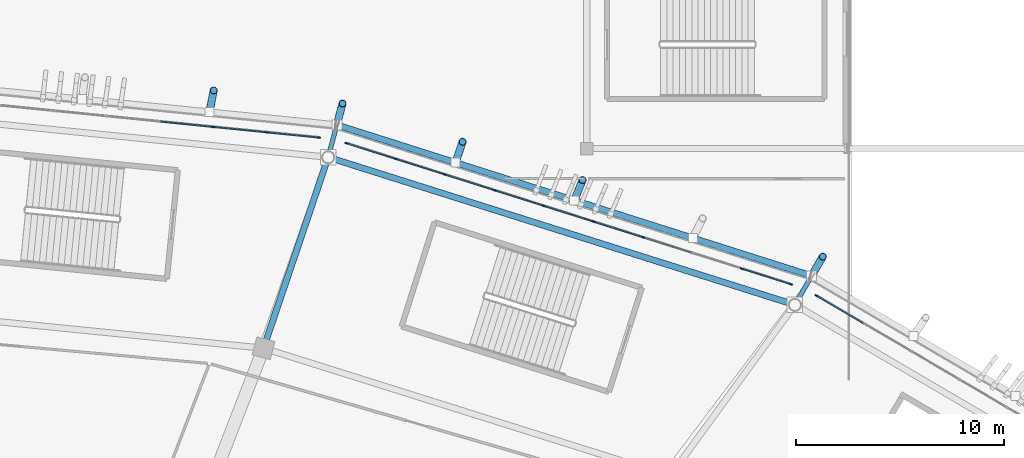
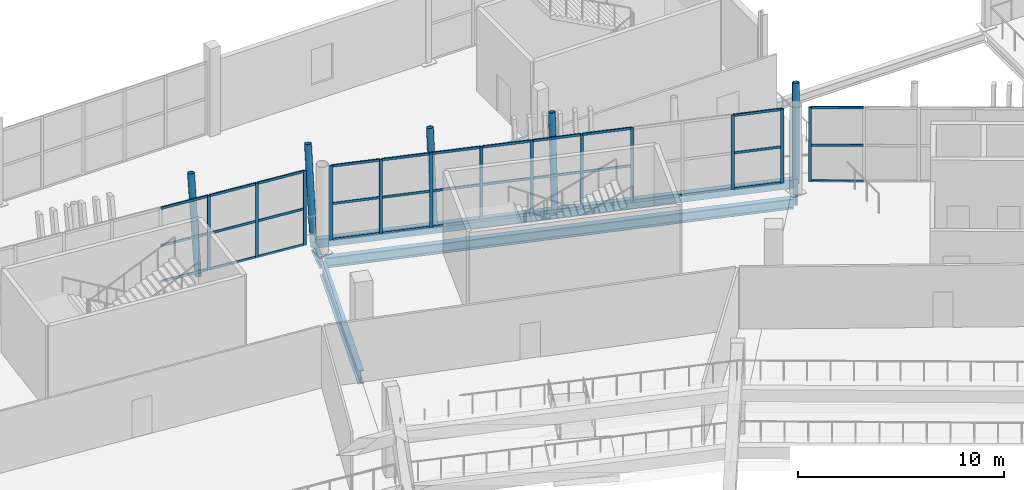
# One storey, part 82 of 178: 52 members, 5 beams, 3 elements without a shape of their own.
"""IFC4 building model written with IfcOpenShell, lengths in metres."""

from ifc_helpers import new_model, si_unit, direction, frame, origin, origin_2d, place, context, subcontext, project, spatial, rectangle, hollow_rectangle, hollow_circle, i_section, extrude, material, material_profile, profile_set, type_object, element, aggregate, save


model = new_model("IFC4")

# Units and contexts
model_context = context("Model", 3, precision=1e-05, world=origin(), true_north=direction((0.0, 1.0)))
body_context = subcontext(model_context, "Body", "Model", "MODEL_VIEW")
ifc_project = project(units=[si_unit("LENGTHUNIT", "METRE"), si_unit("AREAUNIT", "SQUARE_METRE"), si_unit("VOLUMEUNIT", "CUBIC_METRE"), si_unit("PLANEANGLEUNIT", "RADIAN"), si_unit("MASSUNIT", "GRAM", prefix="KILO")], contexts=[model_context])

# Site, building, storey
site_placement = place(None, origin())
site = spatial("IfcSite", under=ifc_project, at=site_placement, CompositionType="ELEMENT")
building_placement = place(site_placement, origin())
building = spatial("IfcBuilding", under=site, at=building_placement, Name="Zlatoyarsky Gate Stadium", CompositionType="ELEMENT")
storey_placement = place(building_placement, frame((0.0, 0.0, 5.39990234375)))
storey = spatial("IfcBuildingStorey", under=building, at=storey_placement, Name="L01", CompositionType="ELEMENT", Elevation=5.39990234375)

# Curtain wall, member
ifc_material_1 = material(Name="Thermally broken anodised aluminium curtain wall", Category="aluminium")
curtain_wall_type = type_object("IfcCurtainWallType", Name="UNITISED HOSPITALITY GLAZING L01", PredefinedType="USERDEFINED", material=ifc_material_1)
curtain_wall_1_placement = place(storey_placement, origin())
curtain_wall_1 = element("IfcCurtainWall", 1, at=curtain_wall_1_placement, inside=storey, type_object=curtain_wall_type, Name="Curtain wall CW-L01-03", ObjectType="UNITISED GLAZING", PredefinedType="USERDEFINED")
ifc_material_2 = material(Name="Anodised aluminium 6063-T6", Category="aluminium")
ifc_material_profile_1 = material_profile(ifc_material_2, rectangle(XDim=0.06494140625, YDim=0.159912109375, at=origin_2d()), Name="ALU 65X160")
ifc_profile_set_1 = profile_set([ifc_material_profile_1], Name="Anodised aluminium 6063-T6")
member_type_1 = type_object("IfcMemberType", Name="ALUMINIUM MULLION 65X160", PredefinedType="MULLION", material=ifc_profile_set_1)
member_1_placement = place(storey_placement, frame((158.542724609375, 141.928955078125, 0.0), z_axis=(0.0, 0.0, 1.0), x_axis=(-0.506590401335, -0.862186850558, 0.0)))
member_1 = element("IfcMember", 2, at=member_1_placement, type_object=member_type_1, Name="CW-UG1 mullion 9", PredefinedType="MULLION", context=body_context, shape_type="SweptSolid", body=[
    extrude(rectangle(XDim=0.06494140625, YDim=0.159912109375, at=origin_2d()), origin(), (0.0, 0.0, 1.0), 4.400146484375),
])

# Curtain wall, members
curtain_wall_2_placement = place(storey_placement, origin())
curtain_wall_2 = element("IfcCurtainWall", 3, at=curtain_wall_2_placement, inside=storey, type_object=curtain_wall_type, Name="Curtain wall CW-L01-04", ObjectType="UNITISED GLAZING", PredefinedType="USERDEFINED")
member_2_placement = place(storey_placement, frame((157.3037109375, 142.48095703125, 0.0), z_axis=(0.0, 0.0, 1.0), x_axis=(-0.302333944964, -0.953202069722, 0.0)))
member_2 = element("IfcMember", 4, at=member_2_placement, type_object=member_type_1, Name="CW-UG1 mullion 1", PredefinedType="MULLION", context=body_context, shape_type="SweptSolid", body=[
    extrude(rectangle(XDim=0.06494140625, YDim=0.159912109375, at=origin_2d()), origin(), (0.0, 0.0, 1.0), 4.400146484375),
])
member_3_placement = place(storey_placement, frame((154.955810546875, 143.2255859375, 0.0), z_axis=(0.0, 0.0, 1.0), x_axis=(-0.302333944964, -0.953202069722, 0.0)))
member_3 = element("IfcMember", 5, at=member_3_placement, type_object=member_type_1, Name="CW-UG1 mullion 2", PredefinedType="MULLION", context=body_context, shape_type="SweptSolid", body=[
    extrude(rectangle(XDim=0.06494140625, YDim=0.159912109375, at=origin_2d()), origin(), (0.0, 0.0, 1.0), 4.400146484375),
])
member_4_placement = place(storey_placement, frame((150.197998046875, 144.734619140625, 0.0), z_axis=(0.0, 0.0, 1.0), x_axis=(-0.302333944964, -0.953202069722, 0.0)))
member_4 = element("IfcMember", 6, at=member_4_placement, type_object=member_type_1, Name="CW-UG1 mullion 4", PredefinedType="MULLION", context=body_context, shape_type="SweptSolid", body=[
    extrude(rectangle(XDim=0.06494140625, YDim=0.159912109375, at=origin_2d()), origin(), (0.0, 0.0, 1.0), 4.400146484375),
])
member_5_placement = place(storey_placement, frame((147.8193359375, 145.4892578125, 0.0), z_axis=(0.0, 0.0, 1.0), x_axis=(-0.302333944964, -0.953202069722, 0.0)))
member_5 = element("IfcMember", 7, at=member_5_placement, type_object=member_type_1, Name="CW-UG1 mullion 5", PredefinedType="MULLION", context=body_context, shape_type="SweptSolid", body=[
    extrude(rectangle(XDim=0.06494140625, YDim=0.159912109375, at=origin_2d()), origin(), (0.0, 0.0, 1.0), 4.400146484375),
])
member_6_placement = place(storey_placement, frame((145.4404296875, 146.24365234375, 0.0), z_axis=(0.0, 0.0, 1.0), x_axis=(-0.302333944964, -0.953202069722, 0.0)))
member_6 = element("IfcMember", 8, at=member_6_placement, type_object=member_type_1, Name="CW-UG1 mullion 6", PredefinedType="MULLION", context=body_context, shape_type="SweptSolid", body=[
    extrude(rectangle(XDim=0.06494140625, YDim=0.159912109375, at=origin_2d()), origin(), (0.0, 0.0, 1.0), 4.400146484375),
])
member_7_placement = place(storey_placement, frame((143.0615234375, 146.998291015625, 0.0), z_axis=(0.0, 0.0, 1.0), x_axis=(-0.302333944964, -0.953202069722, 0.0)))
member_7 = element("IfcMember", 9, at=member_7_placement, type_object=member_type_1, Name="CW-UG1 mullion 7", PredefinedType="MULLION", context=body_context, shape_type="SweptSolid", body=[
    extrude(rectangle(XDim=0.06494140625, YDim=0.159912109375, at=origin_2d()), origin(), (0.0, 0.0, 1.0), 4.400146484375),
])
member_8_placement = place(storey_placement, frame((140.6826171875, 147.752685546875, 0.0), z_axis=(0.0, 0.0, 1.0), x_axis=(-0.302333944964, -0.953202069722, 0.0)))
member_8 = element("IfcMember", 10, at=member_8_placement, type_object=member_type_1, Name="CW-UG1 mullion 8", PredefinedType="MULLION", context=body_context, shape_type="SweptSolid", body=[
    extrude(rectangle(XDim=0.06494140625, YDim=0.159912109375, at=origin_2d()), origin(), (0.0, 0.0, 1.0), 4.400146484375),
])
member_9_placement = place(storey_placement, frame((138.3037109375, 148.50732421875, 0.0), z_axis=(0.0, 0.0, 1.0), x_axis=(-0.302333944964, -0.953202069722, 0.0)))
member_9 = element("IfcMember", 11, at=member_9_placement, type_object=member_type_1, Name="CW-UG1 mullion 9", PredefinedType="MULLION", context=body_context, shape_type="SweptSolid", body=[
    extrude(rectangle(XDim=0.06494140625, YDim=0.159912109375, at=origin_2d()), origin(), (0.0, 0.0, 1.0), 4.400146484375),
])
member_10_placement = place(storey_placement, frame((135.955810546875, 149.251953125, 0.0), z_axis=(0.0, 0.0, 1.0), x_axis=(-0.302333944964, -0.953202069722, 0.0)))
member_10 = element("IfcMember", 12, at=member_10_placement, type_object=member_type_1, Name="CW-UG1 mullion 10", PredefinedType="MULLION", context=body_context, shape_type="SweptSolid", body=[
    extrude(rectangle(XDim=0.06494140625, YDim=0.159912109375, at=origin_2d()), origin(), (0.0, 0.0, 1.0), 4.400146484375),
])

curtain_wall_3_placement = place(storey_placement, origin())
curtain_wall_3 = element("IfcCurtainWall", 13, at=curtain_wall_3_placement, inside=storey, type_object=curtain_wall_type, Name="Curtain wall CW-L01-05", ObjectType="UNITISED GLAZING", PredefinedType="USERDEFINED")
member_11_placement = place(storey_placement, frame((134.626220703125, 149.52685546875, 0.0), z_axis=(0.0, 0.0, 1.0), x_axis=(-0.100300354307, -0.99495720457, 0.0)))
member_11 = element("IfcMember", 14, at=member_11_placement, type_object=member_type_1, Name="CW-UG1 mullion 1", PredefinedType="MULLION", context=body_context, shape_type="SweptSolid", body=[
    extrude(rectangle(XDim=0.06494140625, YDim=0.159912109375, at=origin_2d()), origin(), (0.0, 0.0, 1.0), 4.400146484375),
])
member_12_placement = place(storey_placement, frame((132.101806640625, 149.78125, 0.0), z_axis=(0.0, 0.0, 1.0), x_axis=(-0.100300354307, -0.99495720457, 0.0)))
member_12 = element("IfcMember", 15, at=member_12_placement, type_object=member_type_1, Name="CW-UG1 mullion 2", PredefinedType="MULLION", context=body_context, shape_type="SweptSolid", body=[
    extrude(rectangle(XDim=0.06494140625, YDim=0.159912109375, at=origin_2d()), origin(), (0.0, 0.0, 1.0), 4.400146484375),
])
member_13_placement = place(storey_placement, frame((129.544921875, 150.0390625, 0.0), z_axis=(0.0, 0.0, 1.0), x_axis=(-0.100300354307, -0.99495720457, 0.0)))
member_13 = element("IfcMember", 16, at=member_13_placement, type_object=member_type_1, Name="CW-UG1 mullion 3", PredefinedType="MULLION", context=body_context, shape_type="SweptSolid", body=[
    extrude(rectangle(XDim=0.06494140625, YDim=0.159912109375, at=origin_2d()), origin(), (0.0, 0.0, 1.0), 4.400146484375),
])

# Member
ifc_material_profile_2 = material_profile(ifc_material_2, rectangle(XDim=0.06494140625, YDim=0.139892578125, at=origin_2d()), Name="ALU 65X140")
ifc_profile_set_2 = profile_set([ifc_material_profile_2], Name="Anodised aluminium 6063-T6")
member_type_2 = type_object("IfcMemberType", Name="ALUMINIUM TRANSOM 65X140", PredefinedType="USERDEFINED", material=ifc_profile_set_2)
member_14_placement = place(storey_placement, frame((160.777587890625, 140.61572265625, 0.03271484375), z_axis=(-0.86218667053, 0.506590707732, 0.0), x_axis=(-0.506590707732, -0.86218667053, 0.0)))
member_14 = element("IfcMember", 17, at=member_14_placement, type_object=member_type_2, Name="CW-UG1 transom 8.1", ObjectType="TRANSOM", PredefinedType="USERDEFINED", context=body_context, shape_type="SweptSolid", body=[
    extrude(rectangle(XDim=0.06494140625, YDim=0.139892578125, at=origin_2d()), origin(), (0.0, 0.0, 1.0), 2.5595703125),
])

member_15_placement = place(storey_placement, frame((160.777587890625, 140.61572265625, 2.150146484375), z_axis=(-0.86218667053, 0.506590707732, 0.0), x_axis=(-0.506590707732, -0.86218667053, 0.0)))
member_15 = element("IfcMember", 18, at=member_15_placement, type_object=member_type_2, Name="CW-UG1 transom 8.2", ObjectType="TRANSOM", PredefinedType="USERDEFINED", context=body_context, shape_type="SweptSolid", body=[
    extrude(rectangle(XDim=0.06494140625, YDim=0.139892578125, at=origin_2d()), origin(), (0.0, 0.0, 1.0), 2.5595703125),
])

member_16_placement = place(storey_placement, frame((160.777587890625, 140.61572265625, 4.36767578125), z_axis=(-0.86218667053, 0.506590707732, 0.0), x_axis=(-0.506590707732, -0.86218667053, 0.0)))
member_16 = element("IfcMember", 19, at=member_16_placement, type_object=member_type_2, Name="CW-UG1 transom 8.3", ObjectType="TRANSOM", PredefinedType="USERDEFINED", context=body_context, shape_type="SweptSolid", body=[
    extrude(rectangle(XDim=0.06494140625, YDim=0.139892578125, at=origin_2d()), origin(), (0.0, 0.0, 1.0), 2.5595703125),
])

aggregate(curtain_wall_1, [member_1, member_14, member_15, member_16])

member_17_placement = place(storey_placement, frame((157.272705078125, 142.49072265625, 0.03271484375), z_axis=(-0.953194146276, 0.302358924964, 0.0), x_axis=(-0.302358924964, -0.953194146276, 0.0)))
member_17 = element("IfcMember", 20, at=member_17_placement, type_object=member_type_2, Name="CW-UG1 transom 1.1", ObjectType="TRANSOM", PredefinedType="USERDEFINED", context=body_context, shape_type="SweptSolid", body=[
    extrude(rectangle(XDim=0.06494140625, YDim=0.139892578125, at=origin_2d()), origin(), (0.0, 0.0, 1.0), 2.398193359375),
])

member_18_placement = place(storey_placement, frame((157.272705078125, 142.49072265625, 2.150146484375), z_axis=(-0.953194146276, 0.302358924964, 0.0), x_axis=(-0.302358924964, -0.953194146276, 0.0)))
member_18 = element("IfcMember", 21, at=member_18_placement, type_object=member_type_2, Name="CW-UG1 transom 1.2", ObjectType="TRANSOM", PredefinedType="USERDEFINED", context=body_context, shape_type="SweptSolid", body=[
    extrude(rectangle(XDim=0.06494140625, YDim=0.139892578125, at=origin_2d()), origin(), (0.0, 0.0, 1.0), 2.398193359375),
])

member_19_placement = place(storey_placement, frame((157.272705078125, 142.49072265625, 4.36767578125), z_axis=(-0.953194146276, 0.302358924964, 0.0), x_axis=(-0.302358924964, -0.953194146276, 0.0)))
member_19 = element("IfcMember", 22, at=member_19_placement, type_object=member_type_2, Name="CW-UG1 transom 1.3", ObjectType="TRANSOM", PredefinedType="USERDEFINED", context=body_context, shape_type="SweptSolid", body=[
    extrude(rectangle(XDim=0.06494140625, YDim=0.139892578125, at=origin_2d()), origin(), (0.0, 0.0, 1.0), 2.398193359375),
])

member_20_placement = place(storey_placement, frame((152.5458984375, 143.989990234375, 0.03271484375), z_axis=(-0.953202400963, 0.302332900622, 0.0), x_axis=(-0.302332900622, -0.953202400963, 0.0)))
member_20 = element("IfcMember", 23, at=member_20_placement, type_object=member_type_2, Name="CW-UG1 transom 3.1", ObjectType="TRANSOM", PredefinedType="USERDEFINED", context=body_context, shape_type="SweptSolid", body=[
    extrude(rectangle(XDim=0.06494140625, YDim=0.139892578125, at=origin_2d()), origin(), (0.0, 0.0, 1.0), 2.4306640625),
])

member_21_placement = place(storey_placement, frame((150.167236328125, 144.744384765625, 0.03271484375), z_axis=(-0.953211580639, 0.302303957194, 0.0), x_axis=(-0.302303957194, -0.953211580639, 0.0)))
member_21 = element("IfcMember", 24, at=member_21_placement, type_object=member_type_2, Name="CW-UG1 transom 4.1", ObjectType="TRANSOM", PredefinedType="USERDEFINED", context=body_context, shape_type="SweptSolid", body=[
    extrude(rectangle(XDim=0.06494140625, YDim=0.139892578125, at=origin_2d()), origin(), (0.0, 0.0, 1.0), 2.430908203125),
])

member_22_placement = place(storey_placement, frame((150.167236328125, 144.744384765625, 2.150146484375), z_axis=(-0.953211580639, 0.302303957194, 0.0), x_axis=(-0.302303957194, -0.953211580639, 0.0)))
member_22 = element("IfcMember", 25, at=member_22_placement, type_object=member_type_2, Name="CW-UG1 transom 4.2", ObjectType="TRANSOM", PredefinedType="USERDEFINED", context=body_context, shape_type="SweptSolid", body=[
    extrude(rectangle(XDim=0.06494140625, YDim=0.139892578125, at=origin_2d()), origin(), (0.0, 0.0, 1.0), 2.430908203125),
])

member_23_placement = place(storey_placement, frame((150.167236328125, 144.744384765625, 4.36767578125), z_axis=(-0.953211580639, 0.302303957194, 0.0), x_axis=(-0.302303957194, -0.953211580639, 0.0)))
member_23 = element("IfcMember", 26, at=member_23_placement, type_object=member_type_2, Name="CW-UG1 transom 4.3", ObjectType="TRANSOM", PredefinedType="USERDEFINED", context=body_context, shape_type="SweptSolid", body=[
    extrude(rectangle(XDim=0.06494140625, YDim=0.139892578125, at=origin_2d()), origin(), (0.0, 0.0, 1.0), 2.430908203125),
])

member_24_placement = place(storey_placement, frame((147.788330078125, 145.4990234375, 0.03271484375), z_axis=(-0.953202400963, 0.302332900622, 0.0), x_axis=(-0.302332900622, -0.953202400963, 0.0)))
member_24 = element("IfcMember", 27, at=member_24_placement, type_object=member_type_2, Name="CW-UG1 transom 5.1", ObjectType="TRANSOM", PredefinedType="USERDEFINED", context=body_context, shape_type="SweptSolid", body=[
    extrude(rectangle(XDim=0.06494140625, YDim=0.139892578125, at=origin_2d()), origin(), (0.0, 0.0, 1.0), 2.4306640625),
])

member_25_placement = place(storey_placement, frame((147.788330078125, 145.4990234375, 2.150146484375), z_axis=(-0.953202400963, 0.302332900622, 0.0), x_axis=(-0.302332900622, -0.953202400963, 0.0)))
member_25 = element("IfcMember", 28, at=member_25_placement, type_object=member_type_2, Name="CW-UG1 transom 5.2", ObjectType="TRANSOM", PredefinedType="USERDEFINED", context=body_context, shape_type="SweptSolid", body=[
    extrude(rectangle(XDim=0.06494140625, YDim=0.139892578125, at=origin_2d()), origin(), (0.0, 0.0, 1.0), 2.4306640625),
])

member_26_placement = place(storey_placement, frame((147.788330078125, 145.4990234375, 4.36767578125), z_axis=(-0.953202400963, 0.302332900622, 0.0), x_axis=(-0.302332900622, -0.953202400963, 0.0)))
member_26 = element("IfcMember", 29, at=member_26_placement, type_object=member_type_2, Name="CW-UG1 transom 5.3", ObjectType="TRANSOM", PredefinedType="USERDEFINED", context=body_context, shape_type="SweptSolid", body=[
    extrude(rectangle(XDim=0.06494140625, YDim=0.139892578125, at=origin_2d()), origin(), (0.0, 0.0, 1.0), 2.4306640625),
])

member_27_placement = place(storey_placement, frame((145.409423828125, 146.25341796875, 0.03271484375), z_axis=(-0.953173451414, 0.302424158294, 0.0), x_axis=(-0.302424158294, -0.953173451414, 0.0)))
member_27 = element("IfcMember", 30, at=member_27_placement, type_object=member_type_2, Name="CW-UG1 transom 6.1", ObjectType="TRANSOM", PredefinedType="USERDEFINED", context=body_context, shape_type="SweptSolid", body=[
    extrude(rectangle(XDim=0.06494140625, YDim=0.139892578125, at=origin_2d()), origin(), (0.0, 0.0, 1.0), 2.4306640625),
])

member_28_placement = place(storey_placement, frame((145.409423828125, 146.25341796875, 2.150146484375), z_axis=(-0.953173451414, 0.302424158294, 0.0), x_axis=(-0.302424158294, -0.953173451414, 0.0)))
member_28 = element("IfcMember", 31, at=member_28_placement, type_object=member_type_2, Name="CW-UG1 transom 6.2", ObjectType="TRANSOM", PredefinedType="USERDEFINED", context=body_context, shape_type="SweptSolid", body=[
    extrude(rectangle(XDim=0.06494140625, YDim=0.139892578125, at=origin_2d()), origin(), (0.0, 0.0, 1.0), 2.4306640625),
])

member_29_placement = place(storey_placement, frame((145.409423828125, 146.25341796875, 4.36767578125), z_axis=(-0.953173451414, 0.302424158294, 0.0), x_axis=(-0.302424158294, -0.953173451414, 0.0)))
member_29 = element("IfcMember", 32, at=member_29_placement, type_object=member_type_2, Name="CW-UG1 transom 6.3", ObjectType="TRANSOM", PredefinedType="USERDEFINED", context=body_context, shape_type="SweptSolid", body=[
    extrude(rectangle(XDim=0.06494140625, YDim=0.139892578125, at=origin_2d()), origin(), (0.0, 0.0, 1.0), 2.4306640625),
])

member_30_placement = place(storey_placement, frame((143.030517578125, 147.008056640625, 0.03271484375), z_axis=(-0.953202400963, 0.302332900622, 0.0), x_axis=(-0.302332900622, -0.953202400963, 0.0)))
member_30 = element("IfcMember", 33, at=member_30_placement, type_object=member_type_2, Name="CW-UG1 transom 7.1", ObjectType="TRANSOM", PredefinedType="USERDEFINED", context=body_context, shape_type="SweptSolid", body=[
    extrude(rectangle(XDim=0.06494140625, YDim=0.139892578125, at=origin_2d()), origin(), (0.0, 0.0, 1.0), 2.4306640625),
])

member_31_placement = place(storey_placement, frame((143.030517578125, 147.008056640625, 2.150146484375), z_axis=(-0.953202400963, 0.302332900622, 0.0), x_axis=(-0.302332900622, -0.953202400963, 0.0)))
member_31 = element("IfcMember", 34, at=member_31_placement, type_object=member_type_2, Name="CW-UG1 transom 7.2", ObjectType="TRANSOM", PredefinedType="USERDEFINED", context=body_context, shape_type="SweptSolid", body=[
    extrude(rectangle(XDim=0.06494140625, YDim=0.139892578125, at=origin_2d()), origin(), (0.0, 0.0, 1.0), 2.4306640625),
])

member_32_placement = place(storey_placement, frame((143.030517578125, 147.008056640625, 4.36767578125), z_axis=(-0.953202400963, 0.302332900622, 0.0), x_axis=(-0.302332900622, -0.953202400963, 0.0)))
member_32 = element("IfcMember", 35, at=member_32_placement, type_object=member_type_2, Name="CW-UG1 transom 7.3", ObjectType="TRANSOM", PredefinedType="USERDEFINED", context=body_context, shape_type="SweptSolid", body=[
    extrude(rectangle(XDim=0.06494140625, YDim=0.139892578125, at=origin_2d()), origin(), (0.0, 0.0, 1.0), 2.4306640625),
])

member_33_placement = place(storey_placement, frame((140.651611328125, 147.7626953125, 0.03271484375), z_axis=(-0.953202400963, 0.302332900622, 0.0), x_axis=(-0.302332900622, -0.953202400963, 0.0)))
member_33 = element("IfcMember", 36, at=member_33_placement, type_object=member_type_2, Name="CW-UG1 transom 8.1", ObjectType="TRANSOM", PredefinedType="USERDEFINED", context=body_context, shape_type="SweptSolid", body=[
    extrude(rectangle(XDim=0.06494140625, YDim=0.139892578125, at=origin_2d()), origin(), (0.0, 0.0, 1.0), 2.4306640625),
])

member_34_placement = place(storey_placement, frame((140.651611328125, 147.7626953125, 2.150146484375), z_axis=(-0.953202400963, 0.302332900622, 0.0), x_axis=(-0.302332900622, -0.953202400963, 0.0)))
member_34 = element("IfcMember", 37, at=member_34_placement, type_object=member_type_2, Name="CW-UG1 transom 8.2", ObjectType="TRANSOM", PredefinedType="USERDEFINED", context=body_context, shape_type="SweptSolid", body=[
    extrude(rectangle(XDim=0.06494140625, YDim=0.139892578125, at=origin_2d()), origin(), (0.0, 0.0, 1.0), 2.4306640625),
])

member_35_placement = place(storey_placement, frame((140.651611328125, 147.7626953125, 4.36767578125), z_axis=(-0.953202400963, 0.302332900622, 0.0), x_axis=(-0.302332900622, -0.953202400963, 0.0)))
member_35 = element("IfcMember", 38, at=member_35_placement, type_object=member_type_2, Name="CW-UG1 transom 8.3", ObjectType="TRANSOM", PredefinedType="USERDEFINED", context=body_context, shape_type="SweptSolid", body=[
    extrude(rectangle(XDim=0.06494140625, YDim=0.139892578125, at=origin_2d()), origin(), (0.0, 0.0, 1.0), 2.4306640625),
])

member_36_placement = place(storey_placement, frame((138.272705078125, 148.51708984375, 0.03271484375), z_axis=(-0.953194146276, 0.302358924964, 0.0), x_axis=(-0.302358924964, -0.953194146276, 0.0)))
member_36 = element("IfcMember", 39, at=member_36_placement, type_object=member_type_2, Name="CW-UG1 transom 9.1", ObjectType="TRANSOM", PredefinedType="USERDEFINED", context=body_context, shape_type="SweptSolid", body=[
    extrude(rectangle(XDim=0.06494140625, YDim=0.139892578125, at=origin_2d()), origin(), (0.0, 0.0, 1.0), 2.398193359375),
])

member_37_placement = place(storey_placement, frame((138.272705078125, 148.51708984375, 2.150146484375), z_axis=(-0.953194146276, 0.302358924964, 0.0), x_axis=(-0.302358924964, -0.953194146276, 0.0)))
member_37 = element("IfcMember", 40, at=member_37_placement, type_object=member_type_2, Name="CW-UG1 transom 9.2", ObjectType="TRANSOM", PredefinedType="USERDEFINED", context=body_context, shape_type="SweptSolid", body=[
    extrude(rectangle(XDim=0.06494140625, YDim=0.139892578125, at=origin_2d()), origin(), (0.0, 0.0, 1.0), 2.398193359375),
])

member_38_placement = place(storey_placement, frame((138.272705078125, 148.51708984375, 4.36767578125), z_axis=(-0.953194146276, 0.302358924964, 0.0), x_axis=(-0.302358924964, -0.953194146276, 0.0)))
member_38 = element("IfcMember", 41, at=member_38_placement, type_object=member_type_2, Name="CW-UG1 transom 9.3", ObjectType="TRANSOM", PredefinedType="USERDEFINED", context=body_context, shape_type="SweptSolid", body=[
    extrude(rectangle(XDim=0.06494140625, YDim=0.139892578125, at=origin_2d()), origin(), (0.0, 0.0, 1.0), 2.398193359375),
])

aggregate(curtain_wall_2, [member_2, member_3, member_4, member_5, member_6, member_7, member_8, member_9, member_10, member_17, member_18, member_19, member_20, member_21, member_22, member_23, member_24, member_25, member_26, member_27, member_28, member_29, member_30, member_31, member_32, member_33, member_34, member_35, member_36, member_37, member_38])

member_39_placement = place(storey_placement, frame((134.593994140625, 149.530029296875, 0.03271484375), z_axis=(-0.994954726743, 0.100324930763, 0.0), x_axis=(-0.100324930763, -0.994954726743, 0.0)))
member_39 = element("IfcMember", 42, at=member_39_placement, type_object=member_type_2, Name="CW-UG1 transom 1.1", ObjectType="TRANSOM", PredefinedType="USERDEFINED", context=body_context, shape_type="SweptSolid", body=[
    extrude(rectangle(XDim=0.06494140625, YDim=0.139892578125, at=origin_2d()), origin(), (0.0, 0.0, 1.0), 2.472412109375),
])

member_40_placement = place(storey_placement, frame((134.593994140625, 149.530029296875, 2.150146484375), z_axis=(-0.994954726743, 0.100324930763, 0.0), x_axis=(-0.100324930763, -0.994954726743, 0.0)))
member_40 = element("IfcMember", 43, at=member_40_placement, type_object=member_type_2, Name="CW-UG1 transom 1.2", ObjectType="TRANSOM", PredefinedType="USERDEFINED", context=body_context, shape_type="SweptSolid", body=[
    extrude(rectangle(XDim=0.06494140625, YDim=0.139892578125, at=origin_2d()), origin(), (0.0, 0.0, 1.0), 2.472412109375),
])

member_41_placement = place(storey_placement, frame((134.593994140625, 149.530029296875, 4.36767578125), z_axis=(-0.994954726743, 0.100324930763, 0.0), x_axis=(-0.100324930763, -0.994954726743, 0.0)))
member_41 = element("IfcMember", 44, at=member_41_placement, type_object=member_type_2, Name="CW-UG1 transom 1.3", ObjectType="TRANSOM", PredefinedType="USERDEFINED", context=body_context, shape_type="SweptSolid", body=[
    extrude(rectangle(XDim=0.06494140625, YDim=0.139892578125, at=origin_2d()), origin(), (0.0, 0.0, 1.0), 2.472412109375),
])

member_42_placement = place(storey_placement, frame((132.0693359375, 149.784423828125, 0.03271484375), z_axis=(-0.994957742763, 0.10029501541, 0.0), x_axis=(-0.10029501541, -0.994957742763, 0.0)))
member_42 = element("IfcMember", 45, at=member_42_placement, type_object=member_type_2, Name="CW-UG1 transom 2.1", ObjectType="TRANSOM", PredefinedType="USERDEFINED", context=body_context, shape_type="SweptSolid", body=[
    extrude(rectangle(XDim=0.06494140625, YDim=0.139892578125, at=origin_2d()), origin(), (0.0, 0.0, 1.0), 2.5048828125),
])

member_43_placement = place(storey_placement, frame((132.0693359375, 149.784423828125, 2.150146484375), z_axis=(-0.994957742763, 0.10029501541, 0.0), x_axis=(-0.10029501541, -0.994957742763, 0.0)))
member_43 = element("IfcMember", 46, at=member_43_placement, type_object=member_type_2, Name="CW-UG1 transom 2.2", ObjectType="TRANSOM", PredefinedType="USERDEFINED", context=body_context, shape_type="SweptSolid", body=[
    extrude(rectangle(XDim=0.06494140625, YDim=0.139892578125, at=origin_2d()), origin(), (0.0, 0.0, 1.0), 2.5048828125),
])

member_44_placement = place(storey_placement, frame((132.0693359375, 149.784423828125, 4.36767578125), z_axis=(-0.994957742763, 0.10029501541, 0.0), x_axis=(-0.10029501541, -0.994957742763, 0.0)))
member_44 = element("IfcMember", 47, at=member_44_placement, type_object=member_type_2, Name="CW-UG1 transom 2.3", ObjectType="TRANSOM", PredefinedType="USERDEFINED", context=body_context, shape_type="SweptSolid", body=[
    extrude(rectangle(XDim=0.06494140625, YDim=0.139892578125, at=origin_2d()), origin(), (0.0, 0.0, 1.0), 2.5048828125),
])

member_45_placement = place(storey_placement, frame((129.512451171875, 150.042236328125, 0.03271484375), z_axis=(-0.994957742763, 0.10029501541, 0.0), x_axis=(-0.10029501541, -0.994957742763, 0.0)))
member_45 = element("IfcMember", 48, at=member_45_placement, type_object=member_type_2, Name="CW-UG1 transom 3.1", ObjectType="TRANSOM", PredefinedType="USERDEFINED", context=body_context, shape_type="SweptSolid", body=[
    extrude(rectangle(XDim=0.06494140625, YDim=0.139892578125, at=origin_2d()), origin(), (0.0, 0.0, 1.0), 2.5048828125),
])

member_46_placement = place(storey_placement, frame((129.512451171875, 150.042236328125, 2.150146484375), z_axis=(-0.994957742763, 0.10029501541, 0.0), x_axis=(-0.10029501541, -0.994957742763, 0.0)))
member_46 = element("IfcMember", 49, at=member_46_placement, type_object=member_type_2, Name="CW-UG1 transom 3.2", ObjectType="TRANSOM", PredefinedType="USERDEFINED", context=body_context, shape_type="SweptSolid", body=[
    extrude(rectangle(XDim=0.06494140625, YDim=0.139892578125, at=origin_2d()), origin(), (0.0, 0.0, 1.0), 2.5048828125),
])

member_47_placement = place(storey_placement, frame((129.512451171875, 150.042236328125, 4.36767578125), z_axis=(-0.994957742763, 0.10029501541, 0.0), x_axis=(-0.10029501541, -0.994957742763, 0.0)))
member_47 = element("IfcMember", 50, at=member_47_placement, type_object=member_type_2, Name="CW-UG1 transom 3.3", ObjectType="TRANSOM", PredefinedType="USERDEFINED", context=body_context, shape_type="SweptSolid", body=[
    extrude(rectangle(XDim=0.06494140625, YDim=0.139892578125, at=origin_2d()), origin(), (0.0, 0.0, 1.0), 2.5048828125),
])

aggregate(curtain_wall_3, [member_11, member_12, member_13, member_39, member_40, member_41, member_42, member_43, member_44, member_45, member_46, member_47])

# Beams
ifc_material_3 = material(Name="Steel S355", Category="steel")
ifc_material_profile_3 = material_profile(ifc_material_3, i_section(OverallWidth=0.219970703125, OverallDepth=0.60009765625, WebThickness=0.011962890625, FlangeThickness=0.01904296875, FilletRadius=0.02392578125, at=origin_2d()), Name="IPE 600")
ifc_profile_set_3 = profile_set([ifc_material_profile_3], Name="Steel S355")
beam_type_1 = type_object("IfcBeamType", Name="STEEL CANTILEVER FLOOR BEAM IPE 600", PredefinedType="BEAM", material=ifc_profile_set_3)
beam_1_placement = place(storey_placement, frame((157.56005859375, 141.591796875, -0.599853515625), z_axis=(0.499949632511, 0.866054481515, 0.0), x_axis=(-0.866054481515, 0.499949632511, 0.0)))
element("IfcBeam", 51, at=beam_1_placement, inside=storey, type_object=beam_type_1, Name="Beam B-IPE600 BM-L01-OUT-04", PredefinedType="BEAM", context=body_context, shape_type="SweptSolid", body=[
    extrude(i_section(OverallWidth=0.219970703125, OverallDepth=0.60009765625, WebThickness=0.011962890625, FlangeThickness=0.01904296875, FilletRadius=0.02392578125, at=origin_2d()), origin(), (0.0, 0.0, 1.0), 1.488525390625),
])
beam_2_placement = place(storey_placement, frame((135.101318359375, 148.696533203125, -0.760009765625), z_axis=(0.258785268971, 0.965934875943, 0.0), x_axis=(-0.965934875943, 0.258785268971, 0.0)))
element("IfcBeam", 52, at=beam_2_placement, inside=storey, type_object=beam_type_1, Name="Beam B-IPE600 BM-L01-OUT-05", PredefinedType="BEAM", context=body_context, shape_type="SweptSolid", body=[
    extrude(i_section(OverallWidth=0.219970703125, OverallDepth=0.60009765625, WebThickness=0.011962890625, FlangeThickness=0.01904296875, FilletRadius=0.02392578125, at=origin_2d()), origin(), (0.0, 0.0, 1.0), 1.48876953125),
])

# Members
ifc_material_profile_4 = material_profile(ifc_material_3, hollow_circle(Radius=0.177734375, WallThickness=0.02001953125, at=origin_2d()), Name="CHS 355.6X20")
ifc_profile_set_4 = profile_set([ifc_material_profile_4], Name="Steel S355")
member_type_3 = type_object("IfcMemberType", Name="STEEL LEANING RIB RING STRUT CHS 355.6X20", PredefinedType="STRUT", material=ifc_profile_set_4)
member_48_placement = place(storey_placement, frame((158.30419921875, 142.880859375, -0.599853515625), z_axis=(0.100167839717, 0.173483733379, 0.979729451501), x_axis=(-0.866010359988, 0.500026055714, 0.0)))
element("IfcMember", 53, at=member_48_placement, inside=storey, type_object=member_type_3, Name="Leaning ring strut 04 L01 to L02", PredefinedType="STRUT", context=body_context, shape_type="SweptSolid", body=[
    extrude(hollow_circle(Radius=0.177734375, WallThickness=0.02001953125, at=origin_2d()), origin(), (0.0, 0.0, 1.0), 5.327880859375),
])
member_49_placement = place(storey_placement, frame((135.486572265625, 150.134521484375, -0.760009765625), z_axis=(0.050341687728, 0.187969007318, 0.980883972121), x_axis=(-0.965957238494, 0.258701784688, 0.0)))
element("IfcMember", 54, at=member_49_placement, inside=storey, type_object=member_type_3, Name="Leaning ring strut 05 L01 to L02", PredefinedType="STRUT", context=body_context, shape_type="SweptSolid", body=[
    extrude(hollow_circle(Radius=0.177734375, WallThickness=0.02001953125, at=origin_2d()), origin(), (0.0, 0.0, 1.0), 5.48486328125),
])
member_50_placement = place(storey_placement, frame((146.8955078125, 146.507568359375, -0.5498046875), z_axis=(0.075999402803, 0.18358118711, 0.98006226257), x_axis=(-0.923954987956, 0.382501215988, 0.0)))
element("IfcMember", 55, at=member_50_placement, inside=storey, type_object=member_type_3, Name="Outward-leaning bowl louvre fin rib L01 04-2", PredefinedType="STRUT", context=body_context, shape_type="SweptSolid", body=[
    extrude(hollow_circle(Radius=0.177734375, WallThickness=0.02001953125, at=origin_2d()), origin(), (0.0, 0.0, 1.0), 5.326171875),
])
member_51_placement = place(storey_placement, frame((141.19091796875, 148.321044921875, -0.5498046875), z_axis=(0.063938499035, 0.18856127959, 0.979977812086), x_axis=(-0.947036218276, 0.321126768229, 0.0)))
element("IfcMember", 56, at=member_51_placement, inside=storey, type_object=member_type_3, Name="Outward-leaning bowl louvre fin rib L01 04-3", PredefinedType="STRUT", context=body_context, shape_type="SweptSolid", body=[
    extrude(hollow_circle(Radius=0.177734375, WallThickness=0.02001953125, at=origin_2d()), origin(), (0.0, 0.0, 1.0), 5.32666015625),
])
member_52_placement = place(storey_placement, frame((129.364990234375, 150.7529296875, -0.7099609375), z_axis=(0.037754027657, 0.189705084722, 0.981114985221), x_axis=(-0.980766143879, 0.195186503171, 0.0)))
element("IfcMember", 57, at=member_52_placement, inside=storey, type_object=member_type_3, Name="Outward-leaning bowl louvre fin rib L01 05-1", PredefinedType="STRUT", context=body_context, shape_type="SweptSolid", body=[
    extrude(hollow_circle(Radius=0.177734375, WallThickness=0.02001953125, at=origin_2d()), origin(), (0.0, 0.0, 1.0), 5.483642578125),
])

# Beams
ifc_material_profile_5 = material_profile(ifc_material_3, hollow_rectangle(XDim=0.300048828125, YDim=0.5, WallThickness=0.02001953125, at=origin_2d()), Name="RHS 500X300X20")
ifc_profile_set_5 = profile_set([ifc_material_profile_5], Name="Steel S355")
beam_type_2 = type_object("IfcBeamType", Name="STEEL LOUVRE CARRIER SPANDREL RHS 500X300X20", PredefinedType="SPANDREL", material=ifc_profile_set_5)
beam_3_placement = place(storey_placement, frame((158.28515625, 142.886962890625, -0.5498046875), z_axis=(-0.953005292775, 0.302953646525, 0.0), x_axis=(-0.302953646525, -0.953005292775, 0.0)))
element("IfcBeam", 58, at=beam_3_placement, inside=storey, type_object=beam_type_2, Name="Beam SP-RHS500 BM-L01-SPD-04", PredefinedType="SPANDREL", context=body_context, shape_type="SweptSolid", body=[
    extrude(hollow_rectangle(XDim=0.300048828125, YDim=0.5, WallThickness=0.02001953125, at=origin_2d()), origin(), (0.0, 0.0, 1.0), 23.90283203125),
])
ifc_material_profile_6 = material_profile(ifc_material_3, i_section(OverallWidth=0.300048828125, OverallDepth=0.60009765625, WebThickness=0.015380859375, FlangeThickness=0.030029296875, FilletRadius=0.027099609375, at=origin_2d()), Name="HEB 600")
ifc_profile_set_6 = profile_set([ifc_material_profile_6], Name="Steel S355")
beam_type_3 = type_object("IfcBeamType", Name="STEEL PRIMARY GIRDER HEB 600", PredefinedType="BEAM", material=ifc_profile_set_6)
beam_4_placement = place(storey_placement, frame((157.385498046875, 141.52392578125, -0.599853515625), z_axis=(-0.953463107403, 0.301509706015, 0.0), x_axis=(-0.301509706015, -0.953463107403, 0.0)))
element("IfcBeam", 59, at=beam_4_placement, inside=storey, type_object=beam_type_3, Name="Beam G-HEB600 BM-L01-CRC-04", PredefinedType="BEAM", context=body_context, shape_type="SweptSolid", body=[
    extrude(i_section(OverallWidth=0.300048828125, OverallDepth=0.60009765625, WebThickness=0.015380859375, FlangeThickness=0.030029296875, FilletRadius=0.027099609375, at=origin_2d()), origin(), (0.0, 0.0, 1.0), 23.284423828125),
])
ifc_material_profile_7 = material_profile(ifc_material_3, i_section(OverallWidth=0.300048828125, OverallDepth=0.800048828125, WebThickness=0.017578125, FlangeThickness=0.032958984375, FilletRadius=0.030029296875, at=origin_2d()), Name="HEB 800")
ifc_profile_set_7 = profile_set([ifc_material_profile_7], Name="Steel S355")
beam_type_4 = type_object("IfcBeamType", Name="STEEL PRIMARY GIRDER HEB 800", PredefinedType="BEAM", material=ifc_profile_set_7)
beam_5_placement = place(storey_placement, frame((132.002685546875, 139.51806640625, -0.85986328125), z_axis=(0.320612225581, 0.947210536686, 0.0), x_axis=(-0.947210536686, 0.320612225581, 0.0)))
element("IfcBeam", 60, at=beam_5_placement, inside=storey, type_object=beam_type_4, Name="Beam G-HEB800 BM-L01-RBC-05", PredefinedType="BEAM", context=body_context, shape_type="SweptSolid", body=[
    extrude(i_section(OverallWidth=0.300048828125, OverallDepth=0.800048828125, WebThickness=0.017578125, FlangeThickness=0.032958984375, FilletRadius=0.030029296875, at=origin_2d()), origin(), (0.0, 0.0, 1.0), 9.44775390625),
])

save(model, "model.ifc")
